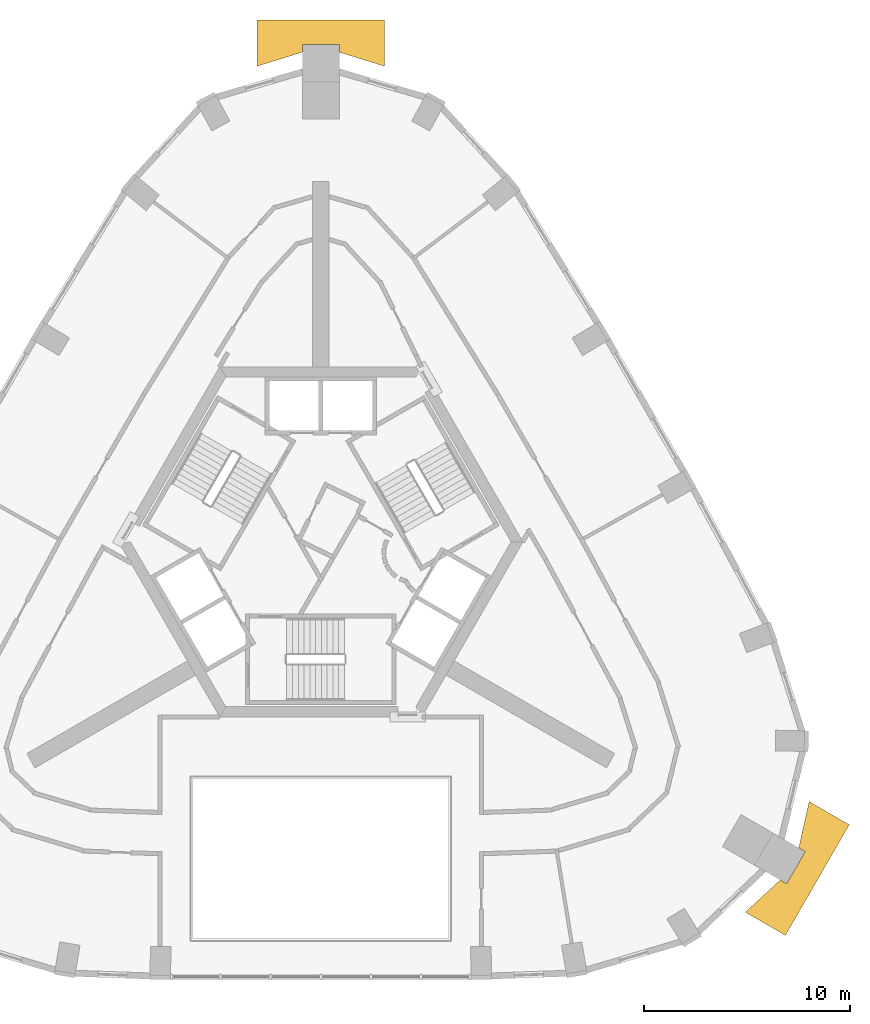
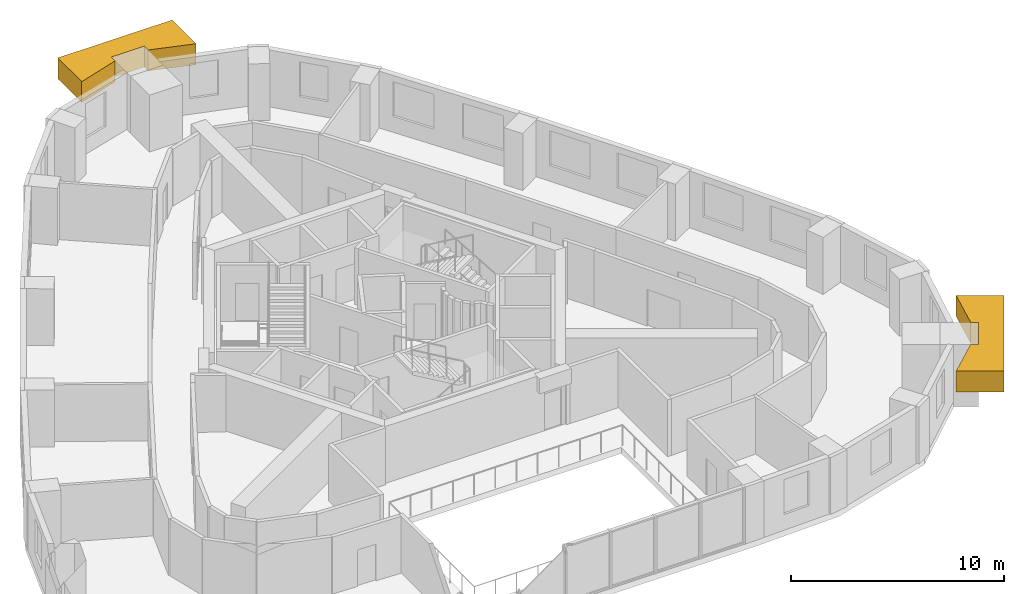
# One storey, part 9 of 9: 2 coverings.
"""IFC4 building model written with IfcOpenShell, lengths in metres."""

from ifc_helpers import new_model, si_unit, direction, frame, origin, place, context, subcontext, project, spatial, polyline, outline, extrude, material, type_object, element, save


model = new_model("IFC4")

# Units and contexts
model_context = context("Model", 3, precision=1e-05, world=origin(), true_north=direction((0.0, 1.0)))
body_context = subcontext(model_context, "Body", "Model", "MODEL_VIEW")
ifc_project = project(units=[si_unit("LENGTHUNIT", "METRE"), si_unit("AREAUNIT", "SQUARE_METRE"), si_unit("VOLUMEUNIT", "CUBIC_METRE"), si_unit("PLANEANGLEUNIT", "RADIAN"), si_unit("MASSUNIT", "GRAM", prefix="KILO")], contexts=[model_context])

# Site, building, storey
site_placement = place(None, origin())
site = spatial("IfcSite", under=ifc_project, at=site_placement, CompositionType="ELEMENT")
building_placement = place(site_placement, origin())
building = spatial("IfcBuilding", under=site, at=building_placement, Name="Entoto Arch Interchange Tower", CompositionType="ELEMENT")
storey_placement = place(building_placement, frame((0.0, 0.0, 315.199951171875)))
storey = spatial("IfcBuildingStorey", under=building, at=storey_placement, Name="L74", CompositionType="ELEMENT", Elevation=315.199951171875)

# Coverings
ifc_material = material(Name="Board-marked precast concrete C50/60", Category="concrete")
covering_type = type_object("IfcCoveringType", Name="PRECAST FRAME COURSE", PredefinedType="CLADDING", material=ifc_material)
covering_1_placement = place(storey_placement, frame((0.0, 0.0, 2.06005859375)))
element("IfcCovering", 1, at=covering_1_placement, inside=storey, type_object=covering_type, Name="Corner pilaster head SE L72-L74", PredefinedType="CLADDING", context=body_context, shape_type="SweptSolid", body=[
    extrude(outline(polyline([(25.657958984375, -11.23388671875), (22.55810546875, -16.60400390625), (20.610107421875, -15.47900390625), (22.302978515625, -13.916015625), (22.617919921875, -14.097900390625), (23.51806640625, -12.5400390625), (23.202880859375, -12.35791015625), (23.7099609375, -10.110107421875), (25.657958984375, -11.23388671875)])), origin(), (0.0, 0.0, 1.0), 1.199951171875),
])
covering_2_placement = place(storey_placement, frame((0.0, 0.0, 2.06005859375)))
element("IfcCovering", 2, at=covering_2_placement, inside=storey, type_object=covering_type, Name="Corner pilaster head N L72-L74", PredefinedType="CLADDING", context=body_context, shape_type="SweptSolid", body=[
    extrude(outline(polyline([(-3.10009765625, 27.8369140625), (3.10009765625, 27.8369140625), (3.10009765625, 25.587890625), (0.89990234375, 26.27294921875), (0.89990234375, 26.636962890625), (-0.89990234375, 26.636962890625), (-0.89990234375, 26.27294921875), (-3.10009765625, 25.587890625), (-3.10009765625, 27.8369140625)])), origin(), (0.0, 0.0, 1.0), 1.199951171875),
])

save(model, "model.ifc")
